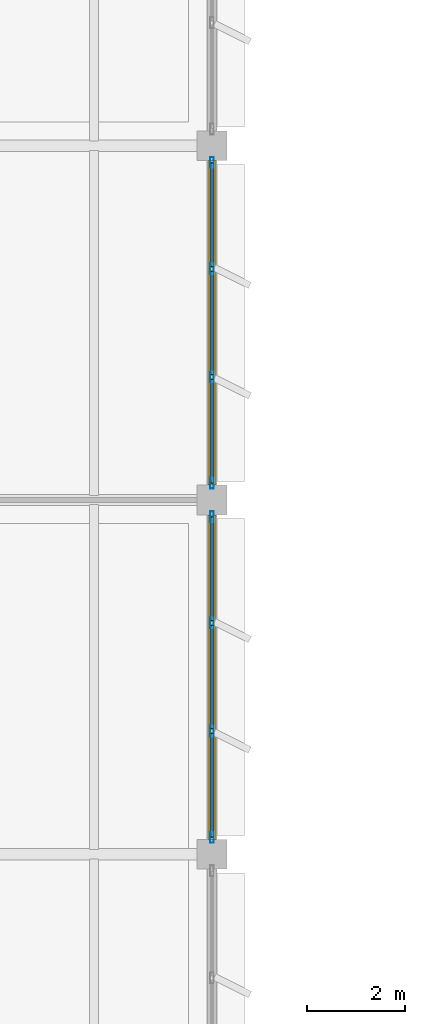
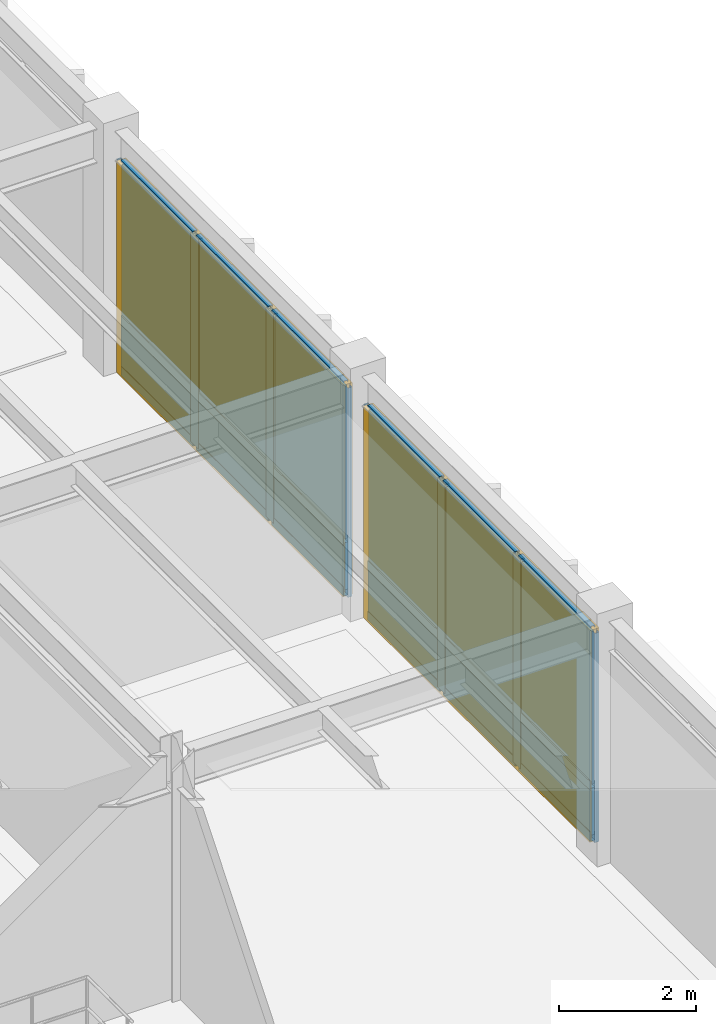
# One storey, part 72 of 92: 26 members, 12 plates, 2 curtain walls.
"""IFC4 building model written with IfcOpenShell, lengths in metres."""

from ifc_helpers import new_model, si_unit, direction, frame, origin, origin_2d, place, context, subcontext, project, spatial, rectangle, hollow_rectangle, extrude, material, layer, layer_set, material_profile, profile_set, type_object, element, aggregate, save


model = new_model("IFC4")

# Units and contexts
model_context = context("Model", 3, precision=1e-05, world=origin(), true_north=direction((0.0, 1.0)))
body_context = subcontext(model_context, "Body", "Model", "MODEL_VIEW")
ifc_project = project(units=[si_unit("LENGTHUNIT", "METRE"), si_unit("AREAUNIT", "SQUARE_METRE"), si_unit("VOLUMEUNIT", "CUBIC_METRE"), si_unit("PLANEANGLEUNIT", "RADIAN"), si_unit("MASSUNIT", "GRAM", prefix="KILO")], contexts=[model_context])

# Member
ifc_material_1 = material(Name="Anodized Aluminium 6063-T6", Category="aluminium")
ifc_material_profile_1 = material_profile(ifc_material_1, hollow_rectangle(XDim=0.074951171875, YDim=0.219970703125, WallThickness=0.0048828125, at=origin_2d()), Name="ALU 75x220x5")
ifc_profile_set_1 = profile_set([ifc_material_profile_1], Name="Anodized Aluminium 6063-T6")
member_type_1 = type_object("IfcMemberType", Name="CWM-75X180", PredefinedType="MULLION", material=ifc_profile_set_1)
site_placement = place(None, origin())
building_placement = place(site_placement, origin())
storey_placement = place(building_placement, frame((0.0, 0.0, 5.39990234375)))
member_1_placement = place(storey_placement, frame((144.0, 42.860107421875, 0.02001953125), z_axis=(0.0, 0.0, 1.0), x_axis=(1.0, 0.0, 0.0)))
member_1 = element("IfcMember", 1, at=member_1_placement, type_object=member_type_1, Name="Curtain wall mullion CW-L02-19-05-E-00", PredefinedType="MULLION", context=body_context, shape_type="SweptSolid", body=[
    extrude(hollow_rectangle(XDim=0.074951171875, YDim=0.219970703125, WallThickness=0.0048828125, at=origin_2d()), origin(), (0.0, 0.0, 1.0), 3.72705078125),
])

member_2_placement = place(storey_placement, frame((144.0, 40.699951171875, 0.02001953125), z_axis=(0.0, 0.0, 1.0), x_axis=(1.0, 0.0, 0.0)))
member_2 = element("IfcMember", 2, at=member_2_placement, type_object=member_type_1, Name="Curtain wall mullion CW-L02-19-05-E-01", PredefinedType="MULLION", context=body_context, shape_type="SweptSolid", body=[
    extrude(hollow_rectangle(XDim=0.074951171875, YDim=0.219970703125, WallThickness=0.0048828125, at=origin_2d()), origin(), (0.0, 0.0, 1.0), 3.72705078125),
])

member_3_placement = place(storey_placement, frame((144.0, 38.5, 0.02001953125), z_axis=(0.0, 0.0, 1.0), x_axis=(1.0, 0.0, 0.0)))
member_3 = element("IfcMember", 3, at=member_3_placement, type_object=member_type_1, Name="Curtain wall mullion CW-L02-19-05-E-02", PredefinedType="MULLION", context=body_context, shape_type="SweptSolid", body=[
    extrude(hollow_rectangle(XDim=0.074951171875, YDim=0.219970703125, WallThickness=0.0048828125, at=origin_2d()), origin(), (0.0, 0.0, 1.0), 3.72705078125),
])

member_4_placement = place(storey_placement, frame((144.0, 36.340087890625, 0.02001953125), z_axis=(0.0, 0.0, 1.0), x_axis=(1.0, 0.0, 0.0)))
member_4 = element("IfcMember", 4, at=member_4_placement, type_object=member_type_1, Name="Curtain wall mullion CW-L02-19-05-E-03", PredefinedType="MULLION", context=body_context, shape_type="SweptSolid", body=[
    extrude(hollow_rectangle(XDim=0.074951171875, YDim=0.219970703125, WallThickness=0.0048828125, at=origin_2d()), origin(), (0.0, 0.0, 1.0), 3.72705078125),
])

member_5_placement = place(storey_placement, frame((144.0, 50.06005859375, 0.02001953125), z_axis=(0.0, 0.0, 1.0), x_axis=(1.0, 0.0, 0.0)))
member_5 = element("IfcMember", 5, at=member_5_placement, type_object=member_type_1, Name="Curtain wall mullion CW-L02-19-06-E-00", PredefinedType="MULLION", context=body_context, shape_type="SweptSolid", body=[
    extrude(hollow_rectangle(XDim=0.074951171875, YDim=0.219970703125, WallThickness=0.0048828125, at=origin_2d()), origin(), (0.0, 0.0, 1.0), 3.72705078125),
])

member_6_placement = place(storey_placement, frame((144.0, 47.89990234375, 0.02001953125), z_axis=(0.0, 0.0, 1.0), x_axis=(1.0, 0.0, 0.0)))
member_6 = element("IfcMember", 6, at=member_6_placement, type_object=member_type_1, Name="Curtain wall mullion CW-L02-19-06-E-01", PredefinedType="MULLION", context=body_context, shape_type="SweptSolid", body=[
    extrude(hollow_rectangle(XDim=0.074951171875, YDim=0.219970703125, WallThickness=0.0048828125, at=origin_2d()), origin(), (0.0, 0.0, 1.0), 3.72705078125),
])

member_7_placement = place(storey_placement, frame((144.0, 45.699951171875, 0.02001953125), z_axis=(0.0, 0.0, 1.0), x_axis=(1.0, 0.0, 0.0)))
member_7 = element("IfcMember", 7, at=member_7_placement, type_object=member_type_1, Name="Curtain wall mullion CW-L02-19-06-E-02", PredefinedType="MULLION", context=body_context, shape_type="SweptSolid", body=[
    extrude(hollow_rectangle(XDim=0.074951171875, YDim=0.219970703125, WallThickness=0.0048828125, at=origin_2d()), origin(), (0.0, 0.0, 1.0), 3.72705078125),
])

member_8_placement = place(storey_placement, frame((144.0, 43.5400390625, 0.02001953125), z_axis=(0.0, 0.0, 1.0), x_axis=(1.0, 0.0, 0.0)))
member_8 = element("IfcMember", 8, at=member_8_placement, type_object=member_type_1, Name="Curtain wall mullion CW-L02-19-06-E-03", PredefinedType="MULLION", context=body_context, shape_type="SweptSolid", body=[
    extrude(hollow_rectangle(XDim=0.074951171875, YDim=0.219970703125, WallThickness=0.0048828125, at=origin_2d()), origin(), (0.0, 0.0, 1.0), 3.72705078125),
])

ifc_material_profile_2 = material_profile(ifc_material_1, hollow_rectangle(XDim=0.074951171875, YDim=0.159912109375, WallThickness=0.00390625, at=origin_2d()), Name="ALU 75x160x4")
ifc_profile_set_2 = profile_set([ifc_material_profile_2], Name="Anodized Aluminium 6063-T6")
member_type_2 = type_object("IfcMemberType", Name="CWT-75X150", PredefinedType="USERDEFINED", material=ifc_profile_set_2)
member_9_placement = place(storey_placement, frame((144.0, 42.85009765625, 0.050048828125), z_axis=(0.0, -1.0, 0.0), x_axis=(1.0, 0.0, 0.0)))
member_9 = element("IfcMember", 9, at=member_9_placement, type_object=member_type_2, Name="Curtain wall transom CW-L02-19-05-E-1.01", ObjectType="TRANSOM", PredefinedType="USERDEFINED", context=body_context, shape_type="SweptSolid", body=[
    extrude(hollow_rectangle(XDim=0.074951171875, YDim=0.159912109375, WallThickness=0.00390625, at=origin_2d()), origin(), (0.0, 0.0, 1.0), 2.10009765625),
])

member_10_placement = place(storey_placement, frame((144.0, 40.64990234375, 0.050048828125), z_axis=(0.0, -1.0, 0.0), x_axis=(1.0, 0.0, 0.0)))
member_10 = element("IfcMember", 10, at=member_10_placement, type_object=member_type_2, Name="Curtain wall transom CW-L02-19-05-E-1.02", ObjectType="TRANSOM", PredefinedType="USERDEFINED", context=body_context, shape_type="SweptSolid", body=[
    extrude(hollow_rectangle(XDim=0.074951171875, YDim=0.159912109375, WallThickness=0.00390625, at=origin_2d()), origin(), (0.0, 0.0, 1.0), 2.099853515625),
])

member_11_placement = place(storey_placement, frame((144.0, 38.449951171875, 0.050048828125), z_axis=(0.0, -1.0, 0.0), x_axis=(1.0, 0.0, 0.0)))
member_11 = element("IfcMember", 11, at=member_11_placement, type_object=member_type_2, Name="Curtain wall transom CW-L02-19-05-E-1.03", ObjectType="TRANSOM", PredefinedType="USERDEFINED", context=body_context, shape_type="SweptSolid", body=[
    extrude(hollow_rectangle(XDim=0.074951171875, YDim=0.159912109375, WallThickness=0.00390625, at=origin_2d()), origin(), (0.0, 0.0, 1.0), 2.099853515625),
])

member_12_placement = place(storey_placement, frame((144.0, 42.85009765625, 0.9501953125), z_axis=(0.0, -1.0, 0.0), x_axis=(1.0, 0.0, 0.0)))
member_12 = element("IfcMember", 12, at=member_12_placement, type_object=member_type_2, Name="Curtain wall transom CW-L02-19-05-E-2.01", ObjectType="TRANSOM", PredefinedType="USERDEFINED", context=body_context, shape_type="SweptSolid", body=[
    extrude(hollow_rectangle(XDim=0.074951171875, YDim=0.159912109375, WallThickness=0.00390625, at=origin_2d()), origin(), (0.0, 0.0, 1.0), 2.10009765625),
])

member_13_placement = place(storey_placement, frame((144.0, 40.64990234375, 0.9501953125), z_axis=(0.0, -1.0, 0.0), x_axis=(1.0, 0.0, 0.0)))
member_13 = element("IfcMember", 13, at=member_13_placement, type_object=member_type_2, Name="Curtain wall transom CW-L02-19-05-E-2.02", ObjectType="TRANSOM", PredefinedType="USERDEFINED", context=body_context, shape_type="SweptSolid", body=[
    extrude(hollow_rectangle(XDim=0.074951171875, YDim=0.159912109375, WallThickness=0.00390625, at=origin_2d()), origin(), (0.0, 0.0, 1.0), 2.099853515625),
])

member_14_placement = place(storey_placement, frame((144.0, 38.449951171875, 0.9501953125), z_axis=(0.0, -1.0, 0.0), x_axis=(1.0, 0.0, 0.0)))
member_14 = element("IfcMember", 14, at=member_14_placement, type_object=member_type_2, Name="Curtain wall transom CW-L02-19-05-E-2.03", ObjectType="TRANSOM", PredefinedType="USERDEFINED", context=body_context, shape_type="SweptSolid", body=[
    extrude(hollow_rectangle(XDim=0.074951171875, YDim=0.159912109375, WallThickness=0.00390625, at=origin_2d()), origin(), (0.0, 0.0, 1.0), 2.099853515625),
])

member_15_placement = place(storey_placement, frame((144.0, 42.85009765625, 3.717041015625), z_axis=(0.0, -1.0, 0.0), x_axis=(1.0, 0.0, 0.0)))
member_15 = element("IfcMember", 15, at=member_15_placement, type_object=member_type_2, Name="Curtain wall transom CW-L02-19-05-E-3.01", ObjectType="TRANSOM", PredefinedType="USERDEFINED", context=body_context, shape_type="SweptSolid", body=[
    extrude(hollow_rectangle(XDim=0.074951171875, YDim=0.159912109375, WallThickness=0.00390625, at=origin_2d()), origin(), (0.0, 0.0, 1.0), 2.10009765625),
])

member_16_placement = place(storey_placement, frame((144.0, 40.64990234375, 3.717041015625), z_axis=(0.0, -1.0, 0.0), x_axis=(1.0, 0.0, 0.0)))
member_16 = element("IfcMember", 16, at=member_16_placement, type_object=member_type_2, Name="Curtain wall transom CW-L02-19-05-E-3.02", ObjectType="TRANSOM", PredefinedType="USERDEFINED", context=body_context, shape_type="SweptSolid", body=[
    extrude(hollow_rectangle(XDim=0.074951171875, YDim=0.159912109375, WallThickness=0.00390625, at=origin_2d()), origin(), (0.0, 0.0, 1.0), 2.099853515625),
])

member_17_placement = place(storey_placement, frame((144.0, 38.449951171875, 3.717041015625), z_axis=(0.0, -1.0, 0.0), x_axis=(1.0, 0.0, 0.0)))
member_17 = element("IfcMember", 17, at=member_17_placement, type_object=member_type_2, Name="Curtain wall transom CW-L02-19-05-E-3.03", ObjectType="TRANSOM", PredefinedType="USERDEFINED", context=body_context, shape_type="SweptSolid", body=[
    extrude(hollow_rectangle(XDim=0.074951171875, YDim=0.159912109375, WallThickness=0.00390625, at=origin_2d()), origin(), (0.0, 0.0, 1.0), 2.099853515625),
])

member_18_placement = place(storey_placement, frame((144.0, 50.050048828125, 0.050048828125), z_axis=(0.0, -1.0, 0.0), x_axis=(1.0, 0.0, 0.0)))
member_18 = element("IfcMember", 18, at=member_18_placement, type_object=member_type_2, Name="Curtain wall transom CW-L02-19-06-E-1.01", ObjectType="TRANSOM", PredefinedType="USERDEFINED", context=body_context, shape_type="SweptSolid", body=[
    extrude(hollow_rectangle(XDim=0.074951171875, YDim=0.159912109375, WallThickness=0.00390625, at=origin_2d()), origin(), (0.0, 0.0, 1.0), 2.10009765625),
])

member_19_placement = place(storey_placement, frame((144.0, 47.85009765625, 0.050048828125), z_axis=(0.0, -1.0, 0.0), x_axis=(1.0, 0.0, 0.0)))
member_19 = element("IfcMember", 19, at=member_19_placement, type_object=member_type_2, Name="Curtain wall transom CW-L02-19-06-E-1.02", ObjectType="TRANSOM", PredefinedType="USERDEFINED", context=body_context, shape_type="SweptSolid", body=[
    extrude(hollow_rectangle(XDim=0.074951171875, YDim=0.159912109375, WallThickness=0.00390625, at=origin_2d()), origin(), (0.0, 0.0, 1.0), 2.10009765625),
])

member_20_placement = place(storey_placement, frame((144.0, 45.64990234375, 0.050048828125), z_axis=(0.0, -1.0, 0.0), x_axis=(1.0, 0.0, 0.0)))
member_20 = element("IfcMember", 20, at=member_20_placement, type_object=member_type_2, Name="Curtain wall transom CW-L02-19-06-E-1.03", ObjectType="TRANSOM", PredefinedType="USERDEFINED", context=body_context, shape_type="SweptSolid", body=[
    extrude(hollow_rectangle(XDim=0.074951171875, YDim=0.159912109375, WallThickness=0.00390625, at=origin_2d()), origin(), (0.0, 0.0, 1.0), 2.099853515625),
])

member_21_placement = place(storey_placement, frame((144.0, 50.050048828125, 0.9501953125), z_axis=(0.0, -1.0, 0.0), x_axis=(1.0, 0.0, 0.0)))
member_21 = element("IfcMember", 21, at=member_21_placement, type_object=member_type_2, Name="Curtain wall transom CW-L02-19-06-E-2.01", ObjectType="TRANSOM", PredefinedType="USERDEFINED", context=body_context, shape_type="SweptSolid", body=[
    extrude(hollow_rectangle(XDim=0.074951171875, YDim=0.159912109375, WallThickness=0.00390625, at=origin_2d()), origin(), (0.0, 0.0, 1.0), 2.10009765625),
])

member_22_placement = place(storey_placement, frame((144.0, 47.85009765625, 0.9501953125), z_axis=(0.0, -1.0, 0.0), x_axis=(1.0, 0.0, 0.0)))
member_22 = element("IfcMember", 22, at=member_22_placement, type_object=member_type_2, Name="Curtain wall transom CW-L02-19-06-E-2.02", ObjectType="TRANSOM", PredefinedType="USERDEFINED", context=body_context, shape_type="SweptSolid", body=[
    extrude(hollow_rectangle(XDim=0.074951171875, YDim=0.159912109375, WallThickness=0.00390625, at=origin_2d()), origin(), (0.0, 0.0, 1.0), 2.10009765625),
])

member_23_placement = place(storey_placement, frame((144.0, 45.64990234375, 0.9501953125), z_axis=(0.0, -1.0, 0.0), x_axis=(1.0, 0.0, 0.0)))
member_23 = element("IfcMember", 23, at=member_23_placement, type_object=member_type_2, Name="Curtain wall transom CW-L02-19-06-E-2.03", ObjectType="TRANSOM", PredefinedType="USERDEFINED", context=body_context, shape_type="SweptSolid", body=[
    extrude(hollow_rectangle(XDim=0.074951171875, YDim=0.159912109375, WallThickness=0.00390625, at=origin_2d()), origin(), (0.0, 0.0, 1.0), 2.099853515625),
])

member_24_placement = place(storey_placement, frame((144.0, 50.050048828125, 3.717041015625), z_axis=(0.0, -1.0, 0.0), x_axis=(1.0, 0.0, 0.0)))
member_24 = element("IfcMember", 24, at=member_24_placement, type_object=member_type_2, Name="Curtain wall transom CW-L02-19-06-E-3.01", ObjectType="TRANSOM", PredefinedType="USERDEFINED", context=body_context, shape_type="SweptSolid", body=[
    extrude(hollow_rectangle(XDim=0.074951171875, YDim=0.159912109375, WallThickness=0.00390625, at=origin_2d()), origin(), (0.0, 0.0, 1.0), 2.10009765625),
])

member_25_placement = place(storey_placement, frame((144.0, 47.85009765625, 3.717041015625), z_axis=(0.0, -1.0, 0.0), x_axis=(1.0, 0.0, 0.0)))
member_25 = element("IfcMember", 25, at=member_25_placement, type_object=member_type_2, Name="Curtain wall transom CW-L02-19-06-E-3.02", ObjectType="TRANSOM", PredefinedType="USERDEFINED", context=body_context, shape_type="SweptSolid", body=[
    extrude(hollow_rectangle(XDim=0.074951171875, YDim=0.159912109375, WallThickness=0.00390625, at=origin_2d()), origin(), (0.0, 0.0, 1.0), 2.10009765625),
])

member_26_placement = place(storey_placement, frame((144.0, 45.64990234375, 3.717041015625), z_axis=(0.0, -1.0, 0.0), x_axis=(1.0, 0.0, 0.0)))
member_26 = element("IfcMember", 26, at=member_26_placement, type_object=member_type_2, Name="Curtain wall transom CW-L02-19-06-E-3.03", ObjectType="TRANSOM", PredefinedType="USERDEFINED", context=body_context, shape_type="SweptSolid", body=[
    extrude(hollow_rectangle(XDim=0.074951171875, YDim=0.159912109375, WallThickness=0.00390625, at=origin_2d()), origin(), (0.0, 0.0, 1.0), 2.099853515625),
])

# Plate
ifc_material_2 = material(Name="Acoustic Laminated Low-E Glazing", Category="glass")
ifc_layer_1 = layer(ifc_material_2, 0.0439453125)
ifc_layer_set_1 = layer_set([ifc_layer_1], Name="Acoustic Laminated Low-E Glazing")
plate_type_1 = type_object("IfcPlateType", Name="CWP-IGU-44", PredefinedType="CURTAIN_PANEL", material=ifc_layer_set_1)
plate_1_placement = place(storey_placement, frame((144.0, 41.800048828125, 0.990234375), z_axis=(0.0, 0.0, 1.0), x_axis=(0.0, -1.0, 0.0)))
plate_1 = element("IfcPlate", 27, at=plate_1_placement, type_object=plate_type_1, Name="Curtain wall vision glazing CW-L02-19-05-E-01", PredefinedType="CURTAIN_PANEL", context=body_context, shape_type="SweptSolid", body=[
    extrude(rectangle(XDim=2.110107421875, YDim=0.0400390625, at=origin_2d()), origin(), (0.0, 0.0, 1.0), 2.717041015625),
])

plate_2_placement = place(storey_placement, frame((144.0, 39.60009765625, 0.990234375), z_axis=(0.0, 0.0, 1.0), x_axis=(0.0, -1.0, 0.0)))
plate_2 = element("IfcPlate", 28, at=plate_2_placement, type_object=plate_type_1, Name="Curtain wall vision glazing CW-L02-19-05-E-02", PredefinedType="CURTAIN_PANEL", context=body_context, shape_type="SweptSolid", body=[
    extrude(rectangle(XDim=2.110107421875, YDim=0.0400390625, at=origin_2d()), origin(), (0.0, 0.0, 1.0), 2.717041015625),
])

plate_3_placement = place(storey_placement, frame((144.0, 37.39990234375, 0.990234375), z_axis=(0.0, 0.0, 1.0), x_axis=(0.0, -1.0, 0.0)))
plate_3 = element("IfcPlate", 29, at=plate_3_placement, type_object=plate_type_1, Name="Curtain wall vision glazing CW-L02-19-05-E-03", PredefinedType="CURTAIN_PANEL", context=body_context, shape_type="SweptSolid", body=[
    extrude(rectangle(XDim=2.110107421875, YDim=0.0400390625, at=origin_2d()), origin(), (0.0, 0.0, 1.0), 2.717041015625),
])

plate_4_placement = place(storey_placement, frame((144.0, 49.0, 0.990234375), z_axis=(0.0, 0.0, 1.0), x_axis=(0.0, -1.0, 0.0)))
plate_4 = element("IfcPlate", 30, at=plate_4_placement, type_object=plate_type_1, Name="Curtain wall vision glazing CW-L02-19-06-E-01", PredefinedType="CURTAIN_PANEL", context=body_context, shape_type="SweptSolid", body=[
    extrude(rectangle(XDim=2.110107421875, YDim=0.0400390625, at=origin_2d()), origin(), (0.0, 0.0, 1.0), 2.717041015625),
])

plate_5_placement = place(storey_placement, frame((144.0, 46.800048828125, 0.990234375), z_axis=(0.0, 0.0, 1.0), x_axis=(0.0, -1.0, 0.0)))
plate_5 = element("IfcPlate", 31, at=plate_5_placement, type_object=plate_type_1, Name="Curtain wall vision glazing CW-L02-19-06-E-02", PredefinedType="CURTAIN_PANEL", context=body_context, shape_type="SweptSolid", body=[
    extrude(rectangle(XDim=2.110107421875, YDim=0.0400390625, at=origin_2d()), origin(), (0.0, 0.0, 1.0), 2.717041015625),
])

plate_6_placement = place(storey_placement, frame((144.0, 44.60009765625, 0.990234375), z_axis=(0.0, 0.0, 1.0), x_axis=(0.0, -1.0, 0.0)))
plate_6 = element("IfcPlate", 32, at=plate_6_placement, type_object=plate_type_1, Name="Curtain wall vision glazing CW-L02-19-06-E-03", PredefinedType="CURTAIN_PANEL", context=body_context, shape_type="SweptSolid", body=[
    extrude(rectangle(XDim=2.110107421875, YDim=0.0400390625, at=origin_2d()), origin(), (0.0, 0.0, 1.0), 2.717041015625),
])

ifc_material_3 = material(Name="Insulated Stone-Composite Spandrel", Category="masonry")
ifc_layer_2 = layer(ifc_material_3, 0.068115234375)
ifc_layer_set_2 = layer_set([ifc_layer_2], Name="Insulated Stone-Composite Spandrel")
plate_type_2 = type_object("IfcPlateType", Name="CWP-SPN-68", PredefinedType="CURTAIN_PANEL", material=ifc_layer_set_2)
plate_7_placement = place(storey_placement, frame((144.0, 41.800048828125, 0.080078125), z_axis=(0.0, 0.0, 1.0), x_axis=(0.0, -1.0, 0.0)))
plate_7 = element("IfcPlate", 33, at=plate_7_placement, type_object=plate_type_2, Name="Curtain wall spandrel panel CW-L02-19-05-E-01", PredefinedType="CURTAIN_PANEL", context=body_context, shape_type="SweptSolid", body=[
    extrude(rectangle(XDim=2.110107421875, YDim=0.06005859375, at=origin_2d()), origin(), (0.0, 0.0, 1.0), 0.840087890625),
])

plate_8_placement = place(storey_placement, frame((144.0, 39.60009765625, 0.080078125), z_axis=(0.0, 0.0, 1.0), x_axis=(0.0, -1.0, 0.0)))
plate_8 = element("IfcPlate", 34, at=plate_8_placement, type_object=plate_type_2, Name="Curtain wall spandrel panel CW-L02-19-05-E-02", PredefinedType="CURTAIN_PANEL", context=body_context, shape_type="SweptSolid", body=[
    extrude(rectangle(XDim=2.110107421875, YDim=0.06005859375, at=origin_2d()), origin(), (0.0, 0.0, 1.0), 0.840087890625),
])

plate_9_placement = place(storey_placement, frame((144.0, 37.39990234375, 0.080078125), z_axis=(0.0, 0.0, 1.0), x_axis=(0.0, -1.0, 0.0)))
plate_9 = element("IfcPlate", 35, at=plate_9_placement, type_object=plate_type_2, Name="Curtain wall spandrel panel CW-L02-19-05-E-03", PredefinedType="CURTAIN_PANEL", context=body_context, shape_type="SweptSolid", body=[
    extrude(rectangle(XDim=2.110107421875, YDim=0.06005859375, at=origin_2d()), origin(), (0.0, 0.0, 1.0), 0.840087890625),
])

plate_10_placement = place(storey_placement, frame((144.0, 49.0, 0.080078125), z_axis=(0.0, 0.0, 1.0), x_axis=(0.0, -1.0, 0.0)))
plate_10 = element("IfcPlate", 36, at=plate_10_placement, type_object=plate_type_2, Name="Curtain wall spandrel panel CW-L02-19-06-E-01", PredefinedType="CURTAIN_PANEL", context=body_context, shape_type="SweptSolid", body=[
    extrude(rectangle(XDim=2.110107421875, YDim=0.06005859375, at=origin_2d()), origin(), (0.0, 0.0, 1.0), 0.840087890625),
])

plate_11_placement = place(storey_placement, frame((144.0, 46.800048828125, 0.080078125), z_axis=(0.0, 0.0, 1.0), x_axis=(0.0, -1.0, 0.0)))
plate_11 = element("IfcPlate", 37, at=plate_11_placement, type_object=plate_type_2, Name="Curtain wall spandrel panel CW-L02-19-06-E-02", PredefinedType="CURTAIN_PANEL", context=body_context, shape_type="SweptSolid", body=[
    extrude(rectangle(XDim=2.110107421875, YDim=0.06005859375, at=origin_2d()), origin(), (0.0, 0.0, 1.0), 0.840087890625),
])

plate_12_placement = place(storey_placement, frame((144.0, 44.60009765625, 0.080078125), z_axis=(0.0, 0.0, 1.0), x_axis=(0.0, -1.0, 0.0)))
plate_12 = element("IfcPlate", 38, at=plate_12_placement, type_object=plate_type_2, Name="Curtain wall spandrel panel CW-L02-19-06-E-03", PredefinedType="CURTAIN_PANEL", context=body_context, shape_type="SweptSolid", body=[
    extrude(rectangle(XDim=2.110107421875, YDim=0.06005859375, at=origin_2d()), origin(), (0.0, 0.0, 1.0), 0.840087890625),
])

# Site, building, storey
site = spatial("IfcSite", under=ifc_project, at=site_placement, CompositionType="ELEMENT")
building = spatial("IfcBuilding", under=site, at=building_placement, Name="Sillqori Civic Hall", CompositionType="ELEMENT")
storey = spatial("IfcBuildingStorey", under=building, at=storey_placement, Name="L02", CompositionType="ELEMENT", Elevation=5.39990234375)

# Curtain wall
ifc_material_4 = material(Name="Anodized Aluminium Curtain Wall System", Category="aluminium")
curtain_wall_type = type_object("IfcCurtainWallType", Name="CW-GL-430", PredefinedType="NOTDEFINED", material=ifc_material_4)
curtain_wall_1_placement = place(storey_placement, frame((144.0, 39.60009765625, 0.0), z_axis=(0.0, 0.0, 1.0), x_axis=(0.0, -1.0, 0.0)))
curtain_wall_1 = element("IfcCurtainWall", 39, at=curtain_wall_1_placement, inside=storey, type_object=curtain_wall_type, Name="L02 unitised curtain wall CW-L02-19-05-E", PredefinedType="NOTDEFINED", context=body_context, shape_type="SweptSolid", body=[
    extrude(rectangle(XDim=6.60009765625, YDim=0.159912109375, at=origin_2d()), origin(), (0.0, 0.0, 1.0), 3.76708984375),
])

aggregate(curtain_wall_1, [member_1, member_2, member_3, member_4, member_9, member_10, member_11, member_12, member_13, member_14, member_15, member_16, member_17, plate_7, plate_1, plate_8, plate_2, plate_9, plate_3])

curtain_wall_2_placement = place(storey_placement, frame((144.0, 46.800048828125, 0.0), z_axis=(0.0, 0.0, 1.0), x_axis=(0.0, -1.0, 0.0)))
curtain_wall_2 = element("IfcCurtainWall", 40, at=curtain_wall_2_placement, inside=storey, type_object=curtain_wall_type, Name="L02 unitised curtain wall CW-L02-19-06-E", PredefinedType="NOTDEFINED", context=body_context, shape_type="SweptSolid", body=[
    extrude(rectangle(XDim=6.60009765625, YDim=0.159912109375, at=origin_2d()), origin(), (0.0, 0.0, 1.0), 3.76708984375),
])

aggregate(curtain_wall_2, [member_5, member_6, member_7, member_8, member_18, member_19, member_20, member_21, member_22, member_23, member_24, member_25, member_26, plate_10, plate_4, plate_11, plate_5, plate_12, plate_6])

save(model, "model.ifc")
